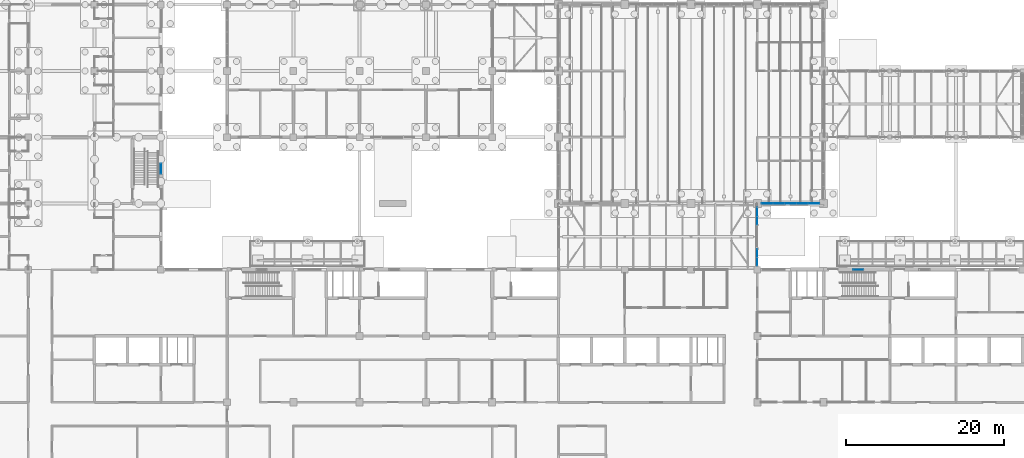
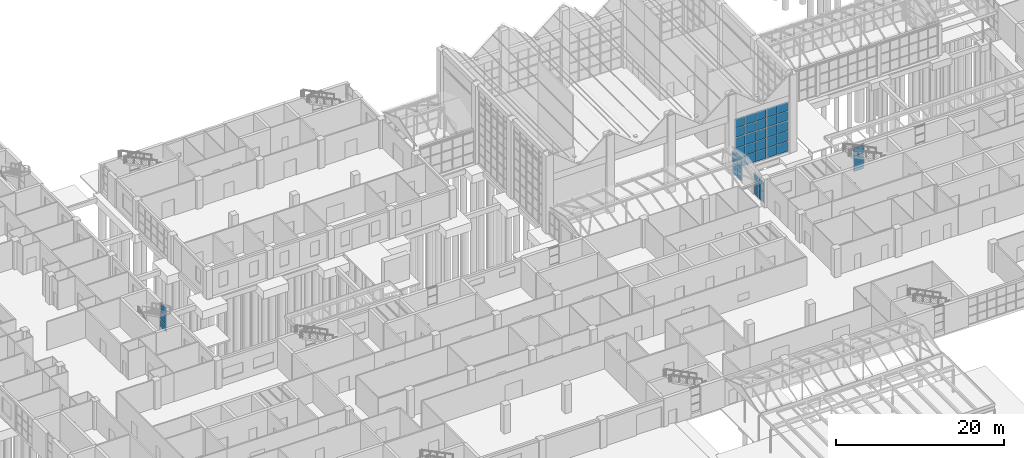
# One storey, part 80 of 138: 39 plates, 6 elements without a shape of their own.
"""IFC4 building model written with IfcOpenShell, lengths in metres."""

from ifc_helpers import new_model, si_unit, direction, frame, origin, origin_2d, place, context, subcontext, project, spatial, rectangle, extrude, material, layer, layer_set, type_object, element, aggregate, save


model = new_model("IFC4")

# Units and contexts
model_context = context("Model", 3, precision=1e-05, world=origin(), true_north=direction((0.0, 1.0)))
body_context = subcontext(model_context, "Body", "Model", "MODEL_VIEW")
ifc_project = project(units=[si_unit("LENGTHUNIT", "METRE"), si_unit("AREAUNIT", "SQUARE_METRE"), si_unit("VOLUMEUNIT", "CUBIC_METRE"), si_unit("PLANEANGLEUNIT", "RADIAN"), si_unit("MASSUNIT", "GRAM", prefix="KILO")], contexts=[model_context])

# Site, building, storey
site_placement = place(None, origin())
site = spatial("IfcSite", under=ifc_project, at=site_placement, CompositionType="ELEMENT")
building_placement = place(site_placement, origin())
building = spatial("IfcBuilding", under=site, at=building_placement, Name="Yavir Park General Hospital", CompositionType="ELEMENT")
storey_placement = place(building_placement, origin())
storey = spatial("IfcBuildingStorey", under=building, at=storey_placement, Name="L00", CompositionType="ELEMENT", Elevation=0.0)

# Curtain wall, plates
ifc_material_1 = material(Name="Aluminium curtain wall frame with insulated glazing", Category="aluminium")
curtain_wall_type_1 = type_object("IfcCurtainWallType", Name="Glazed foyer walls, 3164 high, 1400 module", PredefinedType="NOTDEFINED", material=ifc_material_1)
curtain_wall_1_placement = place(storey_placement, origin())
curtain_wall_1 = element("IfcCurtainWall", 1, at=curtain_wall_1_placement, inside=storey, type_object=curtain_wall_type_1, Name="CW36 L00-056", PredefinedType="NOTDEFINED")
ifc_material_2 = material(Name="Security glazed unit 50 mm")
ifc_layer_1 = layer(ifc_material_2, 0.0400390625)
ifc_layer_set_1 = layer_set([ifc_layer_1], Name="Security glazed unit 50 mm")
plate_type_1 = type_object("IfcPlateType", Name="Glazed foyer walls, 3164 high panel 40", PredefinedType="CURTAIN_PANEL", material=ifc_layer_set_1)
plate_1_placement = place(storey_placement, frame((100.800048828125, 34.599365234375, 0.06005859375), z_axis=(0.0, 0.0, 1.0), x_axis=(0.0, 1.0, 0.0)))
plate_1 = element("IfcPlate", 2, at=plate_1_placement, type_object=plate_type_1, Name="CW36 panel 1.1", PredefinedType="CURTAIN_PANEL", context=body_context, shape_type="SweptSolid", body=[
    extrude(rectangle(XDim=1.02880859375, YDim=0.0400390625, at=origin_2d()), origin(), (0.0, 0.0, 1.0), 1.491943359375),
])
plate_2_placement = place(storey_placement, frame((100.800048828125, 34.599365234375, 1.61181640625), z_axis=(0.0, 0.0, 1.0), x_axis=(0.0, 1.0, 0.0)))
plate_2 = element("IfcPlate", 3, at=plate_2_placement, type_object=plate_type_1, Name="CW36 panel 1.2", PredefinedType="CURTAIN_PANEL", context=body_context, shape_type="SweptSolid", body=[
    extrude(rectangle(XDim=1.02880859375, YDim=0.0400390625, at=origin_2d()), origin(), (0.0, 0.0, 1.0), 1.491943359375),
])
plate_3_placement = place(storey_placement, frame((100.800048828125, 35.688232421875, 0.06005859375), z_axis=(0.0, 0.0, 1.0), x_axis=(0.0, 1.0, 0.0)))
plate_3 = element("IfcPlate", 4, at=plate_3_placement, type_object=plate_type_1, Name="CW36 panel 2.1", PredefinedType="CURTAIN_PANEL", context=body_context, shape_type="SweptSolid", body=[
    extrude(rectangle(XDim=1.02880859375, YDim=0.0400390625, at=origin_2d()), origin(), (0.0, 0.0, 1.0), 1.491943359375),
])
plate_4_placement = place(storey_placement, frame((100.800048828125, 35.688232421875, 1.61181640625), z_axis=(0.0, 0.0, 1.0), x_axis=(0.0, 1.0, 0.0)))
plate_4 = element("IfcPlate", 5, at=plate_4_placement, type_object=plate_type_1, Name="CW36 panel 2.2", PredefinedType="CURTAIN_PANEL", context=body_context, shape_type="SweptSolid", body=[
    extrude(rectangle(XDim=1.02880859375, YDim=0.0400390625, at=origin_2d()), origin(), (0.0, 0.0, 1.0), 1.491943359375),
])
aggregate(curtain_wall_1, [plate_1, plate_2, plate_3, plate_4])

curtain_wall_2_placement = place(storey_placement, origin())
curtain_wall_2 = element("IfcCurtainWall", 6, at=curtain_wall_2_placement, inside=storey, type_object=curtain_wall_type_1, Name="CW36 L00-057", PredefinedType="NOTDEFINED")
plate_5_placement = place(storey_placement, frame((100.800048828125, 39.8369140625, 0.06005859375), z_axis=(0.0, 0.0, 1.0), x_axis=(0.0, 1.0, 0.0)))
plate_5 = element("IfcPlate", 7, at=plate_5_placement, type_object=plate_type_1, Name="CW36 panel 1.1", PredefinedType="CURTAIN_PANEL", context=body_context, shape_type="SweptSolid", body=[
    extrude(rectangle(XDim=1.02880859375, YDim=0.0400390625, at=origin_2d()), origin(), (0.0, 0.0, 1.0), 1.491943359375),
])
plate_6_placement = place(storey_placement, frame((100.800048828125, 39.8369140625, 1.61181640625), z_axis=(0.0, 0.0, 1.0), x_axis=(0.0, 1.0, 0.0)))
plate_6 = element("IfcPlate", 8, at=plate_6_placement, type_object=plate_type_1, Name="CW36 panel 1.2", PredefinedType="CURTAIN_PANEL", context=body_context, shape_type="SweptSolid", body=[
    extrude(rectangle(XDim=1.02880859375, YDim=0.0400390625, at=origin_2d()), origin(), (0.0, 0.0, 1.0), 1.491943359375),
])
plate_7_placement = place(storey_placement, frame((100.800048828125, 40.925537109375, 0.06005859375), z_axis=(0.0, 0.0, 1.0), x_axis=(0.0, 1.0, 0.0)))
plate_7 = element("IfcPlate", 9, at=plate_7_placement, type_object=plate_type_1, Name="CW36 panel 2.1", PredefinedType="CURTAIN_PANEL", context=body_context, shape_type="SweptSolid", body=[
    extrude(rectangle(XDim=1.02880859375, YDim=0.0400390625, at=origin_2d()), origin(), (0.0, 0.0, 1.0), 1.491943359375),
])
plate_8_placement = place(storey_placement, frame((100.800048828125, 40.925537109375, 1.61181640625), z_axis=(0.0, 0.0, 1.0), x_axis=(0.0, 1.0, 0.0)))
plate_8 = element("IfcPlate", 10, at=plate_8_placement, type_object=plate_type_1, Name="CW36 panel 2.2", PredefinedType="CURTAIN_PANEL", context=body_context, shape_type="SweptSolid", body=[
    extrude(rectangle(XDim=1.02880859375, YDim=0.0400390625, at=origin_2d()), origin(), (0.0, 0.0, 1.0), 1.491943359375),
])
aggregate(curtain_wall_2, [plate_5, plate_6, plate_7, plate_8])

ifc_material_3 = material(Name="Aluminium curtain wall frame with insulated glazing", Category="aluminium")
curtain_wall_type_2 = type_object("IfcCurtainWallType", Name="Main hall glazing, lower band, 4500 high, 1400 module", PredefinedType="NOTDEFINED", material=ifc_material_3)
curtain_wall_3_placement = place(storey_placement, origin())
curtain_wall_3 = element("IfcCurtainWall", 11, at=curtain_wall_3_placement, inside=storey, type_object=curtain_wall_type_2, Name="CW33 L00-011", PredefinedType="NOTDEFINED")
ifc_material_4 = material(Name="Solar-control insulated glazed unit 40 mm")
ifc_layer_2 = layer(ifc_material_4, 0.050048828125)
ifc_layer_set_2 = layer_set([ifc_layer_2], Name="Solar-control insulated glazed unit 40 mm")
plate_type_2 = type_object("IfcPlateType", Name="Main hall glazing, lower band, 4500 high panel 50", PredefinedType="CURTAIN_PANEL", material=ifc_layer_set_2)
plate_9_placement = place(storey_placement, frame((102.054931640625, 42.0, 0.06005859375), z_axis=(0.0, 0.0, 1.0), x_axis=(1.0, 0.0, 0.0)))
plate_9 = element("IfcPlate", 12, at=plate_9_placement, type_object=plate_type_2, Name="CW33 panel 1.1", PredefinedType="CURTAIN_PANEL", context=body_context, shape_type="SweptSolid", body=[
    extrude(rectangle(XDim=1.389892578125, YDim=0.050048828125, at=origin_2d()), origin(), (0.0, 0.0, 1.0), 1.409912109375),
])
plate_10_placement = place(storey_placement, frame((102.054931640625, 42.0, 1.530029296875), z_axis=(0.0, 0.0, 1.0), x_axis=(1.0, 0.0, 0.0)))
plate_10 = element("IfcPlate", 13, at=plate_10_placement, type_object=plate_type_2, Name="CW33 panel 1.2", PredefinedType="CURTAIN_PANEL", context=body_context, shape_type="SweptSolid", body=[
    extrude(rectangle(XDim=1.389892578125, YDim=0.050048828125, at=origin_2d()), origin(), (0.0, 0.0, 1.0), 1.43994140625),
])
plate_11_placement = place(storey_placement, frame((102.054931640625, 42.0, 3.0302734375), z_axis=(0.0, 0.0, 1.0), x_axis=(1.0, 0.0, 0.0)))
plate_11 = element("IfcPlate", 14, at=plate_11_placement, type_object=plate_type_2, Name="CW33 panel 1.3", PredefinedType="CURTAIN_PANEL", context=body_context, shape_type="SweptSolid", body=[
    extrude(rectangle(XDim=1.389892578125, YDim=0.050048828125, at=origin_2d()), origin(), (0.0, 0.0, 1.0), 1.409912109375),
])
plate_12_placement = place(storey_placement, frame((103.52001953125, 42.0, 0.06005859375), z_axis=(0.0, 0.0, 1.0), x_axis=(1.0, 0.0, 0.0)))
plate_12 = element("IfcPlate", 15, at=plate_12_placement, type_object=plate_type_2, Name="CW33 panel 2.1", PredefinedType="CURTAIN_PANEL", context=body_context, shape_type="SweptSolid", body=[
    extrude(rectangle(XDim=1.419921875, YDim=0.050048828125, at=origin_2d()), origin(), (0.0, 0.0, 1.0), 1.409912109375),
])
plate_13_placement = place(storey_placement, frame((103.52001953125, 42.0, 1.530029296875), z_axis=(0.0, 0.0, 1.0), x_axis=(1.0, 0.0, 0.0)))
plate_13 = element("IfcPlate", 16, at=plate_13_placement, type_object=plate_type_2, Name="CW33 panel 2.2", PredefinedType="CURTAIN_PANEL", context=body_context, shape_type="SweptSolid", body=[
    extrude(rectangle(XDim=1.419921875, YDim=0.050048828125, at=origin_2d()), origin(), (0.0, 0.0, 1.0), 1.43994140625),
])
plate_14_placement = place(storey_placement, frame((103.52001953125, 42.0, 3.0302734375), z_axis=(0.0, 0.0, 1.0), x_axis=(1.0, 0.0, 0.0)))
plate_14 = element("IfcPlate", 17, at=plate_14_placement, type_object=plate_type_2, Name="CW33 panel 2.3", PredefinedType="CURTAIN_PANEL", context=body_context, shape_type="SweptSolid", body=[
    extrude(rectangle(XDim=1.419921875, YDim=0.050048828125, at=origin_2d()), origin(), (0.0, 0.0, 1.0), 1.409912109375),
])
plate_15_placement = place(storey_placement, frame((105.0, 42.0, 0.06005859375), z_axis=(0.0, 0.0, 1.0), x_axis=(1.0, 0.0, 0.0)))
plate_15 = element("IfcPlate", 18, at=plate_15_placement, type_object=plate_type_2, Name="CW33 panel 3.1", PredefinedType="CURTAIN_PANEL", context=body_context, shape_type="SweptSolid", body=[
    extrude(rectangle(XDim=1.419921875, YDim=0.050048828125, at=origin_2d()), origin(), (0.0, 0.0, 1.0), 1.409912109375),
])
plate_16_placement = place(storey_placement, frame((105.0, 42.0, 1.530029296875), z_axis=(0.0, 0.0, 1.0), x_axis=(1.0, 0.0, 0.0)))
plate_16 = element("IfcPlate", 19, at=plate_16_placement, type_object=plate_type_2, Name="CW33 panel 3.2", PredefinedType="CURTAIN_PANEL", context=body_context, shape_type="SweptSolid", body=[
    extrude(rectangle(XDim=1.419921875, YDim=0.050048828125, at=origin_2d()), origin(), (0.0, 0.0, 1.0), 1.43994140625),
])
plate_17_placement = place(storey_placement, frame((105.0, 42.0, 3.0302734375), z_axis=(0.0, 0.0, 1.0), x_axis=(1.0, 0.0, 0.0)))
plate_17 = element("IfcPlate", 20, at=plate_17_placement, type_object=plate_type_2, Name="CW33 panel 3.3", PredefinedType="CURTAIN_PANEL", context=body_context, shape_type="SweptSolid", body=[
    extrude(rectangle(XDim=1.419921875, YDim=0.050048828125, at=origin_2d()), origin(), (0.0, 0.0, 1.0), 1.409912109375),
])
plate_18_placement = place(storey_placement, frame((106.47998046875, 42.0, 0.06005859375), z_axis=(0.0, 0.0, 1.0), x_axis=(1.0, 0.0, 0.0)))
plate_18 = element("IfcPlate", 21, at=plate_18_placement, type_object=plate_type_2, Name="CW33 panel 4.1", PredefinedType="CURTAIN_PANEL", context=body_context, shape_type="SweptSolid", body=[
    extrude(rectangle(XDim=1.419921875, YDim=0.050048828125, at=origin_2d()), origin(), (0.0, 0.0, 1.0), 1.409912109375),
])
plate_19_placement = place(storey_placement, frame((106.47998046875, 42.0, 1.530029296875), z_axis=(0.0, 0.0, 1.0), x_axis=(1.0, 0.0, 0.0)))
plate_19 = element("IfcPlate", 22, at=plate_19_placement, type_object=plate_type_2, Name="CW33 panel 4.2", PredefinedType="CURTAIN_PANEL", context=body_context, shape_type="SweptSolid", body=[
    extrude(rectangle(XDim=1.419921875, YDim=0.050048828125, at=origin_2d()), origin(), (0.0, 0.0, 1.0), 1.43994140625),
])
plate_20_placement = place(storey_placement, frame((106.47998046875, 42.0, 3.0302734375), z_axis=(0.0, 0.0, 1.0), x_axis=(1.0, 0.0, 0.0)))
plate_20 = element("IfcPlate", 23, at=plate_20_placement, type_object=plate_type_2, Name="CW33 panel 4.3", PredefinedType="CURTAIN_PANEL", context=body_context, shape_type="SweptSolid", body=[
    extrude(rectangle(XDim=1.419921875, YDim=0.050048828125, at=origin_2d()), origin(), (0.0, 0.0, 1.0), 1.409912109375),
])
plate_21_placement = place(storey_placement, frame((107.945068359375, 42.0, 0.06005859375), z_axis=(0.0, 0.0, 1.0), x_axis=(1.0, 0.0, 0.0)))
plate_21 = element("IfcPlate", 24, at=plate_21_placement, type_object=plate_type_2, Name="CW33 panel 5.1", PredefinedType="CURTAIN_PANEL", context=body_context, shape_type="SweptSolid", body=[
    extrude(rectangle(XDim=1.389892578125, YDim=0.050048828125, at=origin_2d()), origin(), (0.0, 0.0, 1.0), 1.409912109375),
])
plate_22_placement = place(storey_placement, frame((107.945068359375, 42.0, 1.530029296875), z_axis=(0.0, 0.0, 1.0), x_axis=(1.0, 0.0, 0.0)))
plate_22 = element("IfcPlate", 25, at=plate_22_placement, type_object=plate_type_2, Name="CW33 panel 5.2", PredefinedType="CURTAIN_PANEL", context=body_context, shape_type="SweptSolid", body=[
    extrude(rectangle(XDim=1.389892578125, YDim=0.050048828125, at=origin_2d()), origin(), (0.0, 0.0, 1.0), 1.43994140625),
])
plate_23_placement = place(storey_placement, frame((107.945068359375, 42.0, 3.0302734375), z_axis=(0.0, 0.0, 1.0), x_axis=(1.0, 0.0, 0.0)))
plate_23 = element("IfcPlate", 26, at=plate_23_placement, type_object=plate_type_2, Name="CW33 panel 5.3", PredefinedType="CURTAIN_PANEL", context=body_context, shape_type="SweptSolid", body=[
    extrude(rectangle(XDim=1.389892578125, YDim=0.050048828125, at=origin_2d()), origin(), (0.0, 0.0, 1.0), 1.409912109375),
])
aggregate(curtain_wall_3, [plate_9, plate_10, plate_11, plate_12, plate_13, plate_14, plate_15, plate_16, plate_17, plate_18, plate_19, plate_20, plate_21, plate_22, plate_23])

ifc_material_5 = material(Name="Aluminium curtain wall frame with insulated glazing", Category="aluminium")
curtain_wall_type_3 = type_object("IfcCurtainWallType", Name="Main hall glazing, upper band, 2817 high, 1400 module", PredefinedType="NOTDEFINED", material=ifc_material_5)
curtain_wall_4_placement = place(storey_placement, origin())
curtain_wall_4 = element("IfcCurtainWall", 27, at=curtain_wall_4_placement, inside=storey, type_object=curtain_wall_type_3, Name="CW34 L00-012", PredefinedType="NOTDEFINED")
ifc_material_6 = material(Name="Solar-control insulated glazed unit 40 mm")
ifc_layer_3 = layer(ifc_material_6, 0.0400390625)
ifc_layer_set_3 = layer_set([ifc_layer_3], Name="Solar-control insulated glazed unit 40 mm")
plate_type_3 = type_object("IfcPlateType", Name="Main hall glazing, upper band, 2817 high panel 40", PredefinedType="CURTAIN_PANEL", material=ifc_layer_set_3)
plate_24_placement = place(storey_placement, frame((102.054931640625, 42.0, 4.56005859375), z_axis=(0.0, 0.0, 1.0), x_axis=(1.0, 0.0, 0.0)))
plate_24 = element("IfcPlate", 28, at=plate_24_placement, type_object=plate_type_3, Name="CW34 panel 1.1", PredefinedType="CURTAIN_PANEL", context=body_context, shape_type="SweptSolid", body=[
    extrude(rectangle(XDim=1.389892578125, YDim=0.0400390625, at=origin_2d()), origin(), (0.0, 0.0, 1.0), 1.318603515625),
])
plate_25_placement = place(storey_placement, frame((102.054931640625, 42.0, 5.9384765625), z_axis=(0.0, 0.0, 1.0), x_axis=(1.0, 0.0, 0.0)))
plate_25 = element("IfcPlate", 29, at=plate_25_placement, type_object=plate_type_3, Name="CW34 panel 1.2", PredefinedType="CURTAIN_PANEL", context=body_context, shape_type="SweptSolid", body=[
    extrude(rectangle(XDim=1.389892578125, YDim=0.0400390625, at=origin_2d()), origin(), (0.0, 0.0, 1.0), 1.318603515625),
])
plate_26_placement = place(storey_placement, frame((103.52001953125, 42.0, 4.56005859375), z_axis=(0.0, 0.0, 1.0), x_axis=(1.0, 0.0, 0.0)))
plate_26 = element("IfcPlate", 30, at=plate_26_placement, type_object=plate_type_3, Name="CW34 panel 2.1", PredefinedType="CURTAIN_PANEL", context=body_context, shape_type="SweptSolid", body=[
    extrude(rectangle(XDim=1.419921875, YDim=0.0400390625, at=origin_2d()), origin(), (0.0, 0.0, 1.0), 1.318603515625),
])
plate_27_placement = place(storey_placement, frame((103.52001953125, 42.0, 5.9384765625), z_axis=(0.0, 0.0, 1.0), x_axis=(1.0, 0.0, 0.0)))
plate_27 = element("IfcPlate", 31, at=plate_27_placement, type_object=plate_type_3, Name="CW34 panel 2.2", PredefinedType="CURTAIN_PANEL", context=body_context, shape_type="SweptSolid", body=[
    extrude(rectangle(XDim=1.419921875, YDim=0.0400390625, at=origin_2d()), origin(), (0.0, 0.0, 1.0), 1.318603515625),
])
plate_28_placement = place(storey_placement, frame((105.0, 42.0, 4.56005859375), z_axis=(0.0, 0.0, 1.0), x_axis=(1.0, 0.0, 0.0)))
plate_28 = element("IfcPlate", 32, at=plate_28_placement, type_object=plate_type_3, Name="CW34 panel 3.1", PredefinedType="CURTAIN_PANEL", context=body_context, shape_type="SweptSolid", body=[
    extrude(rectangle(XDim=1.419921875, YDim=0.0400390625, at=origin_2d()), origin(), (0.0, 0.0, 1.0), 1.318603515625),
])
plate_29_placement = place(storey_placement, frame((105.0, 42.0, 5.9384765625), z_axis=(0.0, 0.0, 1.0), x_axis=(1.0, 0.0, 0.0)))
plate_29 = element("IfcPlate", 33, at=plate_29_placement, type_object=plate_type_3, Name="CW34 panel 3.2", PredefinedType="CURTAIN_PANEL", context=body_context, shape_type="SweptSolid", body=[
    extrude(rectangle(XDim=1.419921875, YDim=0.0400390625, at=origin_2d()), origin(), (0.0, 0.0, 1.0), 1.318603515625),
])
plate_30_placement = place(storey_placement, frame((106.47998046875, 42.0, 4.56005859375), z_axis=(0.0, 0.0, 1.0), x_axis=(1.0, 0.0, 0.0)))
plate_30 = element("IfcPlate", 34, at=plate_30_placement, type_object=plate_type_3, Name="CW34 panel 4.1", PredefinedType="CURTAIN_PANEL", context=body_context, shape_type="SweptSolid", body=[
    extrude(rectangle(XDim=1.419921875, YDim=0.0400390625, at=origin_2d()), origin(), (0.0, 0.0, 1.0), 1.318603515625),
])
plate_31_placement = place(storey_placement, frame((106.47998046875, 42.0, 5.9384765625), z_axis=(0.0, 0.0, 1.0), x_axis=(1.0, 0.0, 0.0)))
plate_31 = element("IfcPlate", 35, at=plate_31_placement, type_object=plate_type_3, Name="CW34 panel 4.2", PredefinedType="CURTAIN_PANEL", context=body_context, shape_type="SweptSolid", body=[
    extrude(rectangle(XDim=1.419921875, YDim=0.0400390625, at=origin_2d()), origin(), (0.0, 0.0, 1.0), 1.318603515625),
])
plate_32_placement = place(storey_placement, frame((107.945068359375, 42.0, 4.56005859375), z_axis=(0.0, 0.0, 1.0), x_axis=(1.0, 0.0, 0.0)))
plate_32 = element("IfcPlate", 36, at=plate_32_placement, type_object=plate_type_3, Name="CW34 panel 5.1", PredefinedType="CURTAIN_PANEL", context=body_context, shape_type="SweptSolid", body=[
    extrude(rectangle(XDim=1.389892578125, YDim=0.0400390625, at=origin_2d()), origin(), (0.0, 0.0, 1.0), 1.318603515625),
])
plate_33_placement = place(storey_placement, frame((107.945068359375, 42.0, 5.9384765625), z_axis=(0.0, 0.0, 1.0), x_axis=(1.0, 0.0, 0.0)))
plate_33 = element("IfcPlate", 37, at=plate_33_placement, type_object=plate_type_3, Name="CW34 panel 5.2", PredefinedType="CURTAIN_PANEL", context=body_context, shape_type="SweptSolid", body=[
    extrude(rectangle(XDim=1.389892578125, YDim=0.0400390625, at=origin_2d()), origin(), (0.0, 0.0, 1.0), 1.318603515625),
])
aggregate(curtain_wall_4, [plate_24, plate_25, plate_26, plate_27, plate_28, plate_29, plate_30, plate_31, plate_32, plate_33])

ifc_material_7 = material(Name="Aluminium curtain wall frame with insulated glazing", Category="aluminium")
curtain_wall_type_4 = type_object("IfcCurtainWallType", Name="Stair light slot, ground floor, 3540 high, 1400 module", PredefinedType="NOTDEFINED", material=ifc_material_7)
curtain_wall_5_placement = place(storey_placement, origin())
curtain_wall_5 = element("IfcCurtainWall", 38, at=curtain_wall_5_placement, inside=storey, type_object=curtain_wall_type_4, Name="CW19 L00-009", PredefinedType="NOTDEFINED")
ifc_material_8 = material(Name="Impact-resistant glazed unit 60 mm")
ifc_layer_4 = layer(ifc_material_8, 0.06005859375)
ifc_layer_set_4 = layer_set([ifc_layer_4], Name="Impact-resistant glazed unit 60 mm")
plate_type_4 = type_object("IfcPlateType", Name="Stair light slot, ground floor, 3540 high panel 60", PredefinedType="CURTAIN_PANEL", material=ifc_layer_set_4)
plate_34_placement = place(storey_placement, frame((113.60009765625, 33.60009765625, 0.64990234375), z_axis=(0.0, 0.0, 1.0), x_axis=(1.0, 0.0, 0.0)))
plate_34 = element("IfcPlate", 39, at=plate_34_placement, type_object=plate_type_4, Name="CW19 panel 1.1", PredefinedType="CURTAIN_PANEL", context=body_context, shape_type="SweptSolid", body=[
    extrude(rectangle(XDim=1.300048828125, YDim=0.06005859375, at=origin_2d()), origin(), (0.0, 0.0, 1.0), 1.10498046875),
])
plate_35_placement = place(storey_placement, frame((113.60009765625, 33.60009765625, 1.80517578125), z_axis=(0.0, 0.0, 1.0), x_axis=(1.0, 0.0, 0.0)))
plate_35 = element("IfcPlate", 40, at=plate_35_placement, type_object=plate_type_4, Name="CW19 panel 1.2", PredefinedType="CURTAIN_PANEL", context=body_context, shape_type="SweptSolid", body=[
    extrude(rectangle(XDim=1.300048828125, YDim=0.06005859375, at=origin_2d()), origin(), (0.0, 0.0, 1.0), 1.1298828125),
])
plate_36_placement = place(storey_placement, frame((113.60009765625, 33.60009765625, 2.985107421875), z_axis=(0.0, 0.0, 1.0), x_axis=(1.0, 0.0, 0.0)))
plate_36 = element("IfcPlate", 41, at=plate_36_placement, type_object=plate_type_4, Name="CW19 panel 1.3", PredefinedType="CURTAIN_PANEL", context=body_context, shape_type="SweptSolid", body=[
    extrude(rectangle(XDim=1.300048828125, YDim=0.06005859375, at=origin_2d()), origin(), (0.0, 0.0, 1.0), 1.10498046875),
])
aggregate(curtain_wall_5, [plate_34, plate_35, plate_36])

curtain_wall_6_placement = place(storey_placement, origin())
curtain_wall_6 = element("IfcCurtainWall", 42, at=curtain_wall_6_placement, inside=storey, type_object=curtain_wall_type_4, Name="CW19 L00-042", PredefinedType="NOTDEFINED")
plate_37_placement = place(storey_placement, frame((25.199951171875, 46.39990234375, 0.64990234375), z_axis=(0.0, 0.0, 1.0), x_axis=(0.0, 1.0, 0.0)))
plate_37 = element("IfcPlate", 43, at=plate_37_placement, type_object=plate_type_4, Name="CW19 panel 1.1", PredefinedType="CURTAIN_PANEL", context=body_context, shape_type="SweptSolid", body=[
    extrude(rectangle(XDim=1.300048828125, YDim=0.06005859375, at=origin_2d()), origin(), (0.0, 0.0, 1.0), 1.10498046875),
])
plate_38_placement = place(storey_placement, frame((25.199951171875, 46.39990234375, 1.80517578125), z_axis=(0.0, 0.0, 1.0), x_axis=(0.0, 1.0, 0.0)))
plate_38 = element("IfcPlate", 44, at=plate_38_placement, type_object=plate_type_4, Name="CW19 panel 1.2", PredefinedType="CURTAIN_PANEL", context=body_context, shape_type="SweptSolid", body=[
    extrude(rectangle(XDim=1.300048828125, YDim=0.06005859375, at=origin_2d()), origin(), (0.0, 0.0, 1.0), 1.1298828125),
])
plate_39_placement = place(storey_placement, frame((25.199951171875, 46.39990234375, 2.985107421875), z_axis=(0.0, 0.0, 1.0), x_axis=(0.0, 1.0, 0.0)))
plate_39 = element("IfcPlate", 45, at=plate_39_placement, type_object=plate_type_4, Name="CW19 panel 1.3", PredefinedType="CURTAIN_PANEL", context=body_context, shape_type="SweptSolid", body=[
    extrude(rectangle(XDim=1.300048828125, YDim=0.06005859375, at=origin_2d()), origin(), (0.0, 0.0, 1.0), 1.10498046875),
])
aggregate(curtain_wall_6, [plate_37, plate_38, plate_39])

save(model, "model.ifc")
